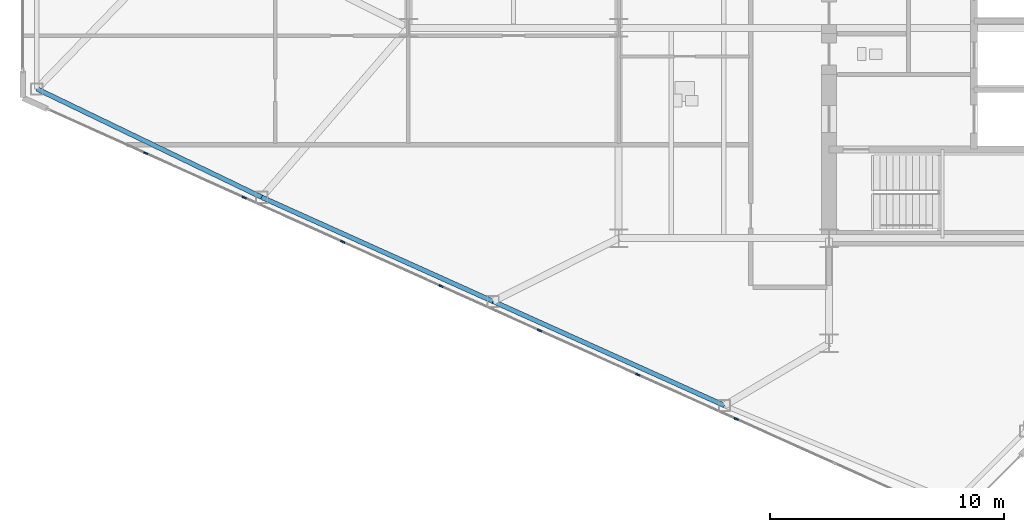
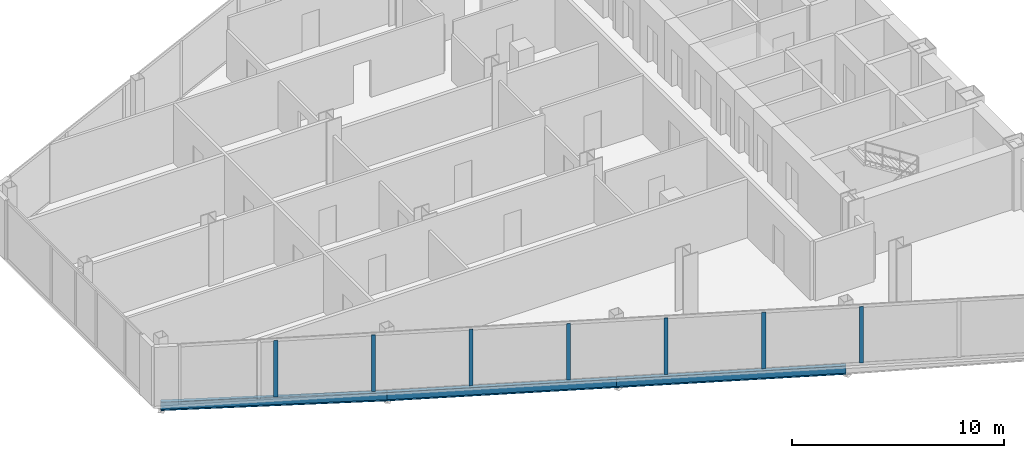
# One storey, part 3 of 27: 7 members, 3 beams, 1 element without a shape of its own.
"""IFC4 building model written with IfcOpenShell, lengths in metres."""

from ifc_helpers import new_model, si_unit, direction, frame, origin, origin_2d, place, context, subcontext, project, spatial, rectangle, i_section, extrude, source, transform, mapped, material, layer, layer_set, material_profile, profile_set, type_object, type_shapes, element, aggregate, save


model = new_model("IFC4")

# Units and contexts
model_context = context("Model", 3, precision=1e-05, world=origin(), true_north=direction((0.0, 1.0)))
body_context = subcontext(model_context, "Body", "Model", "MODEL_VIEW")
ifc_project = project(units=[si_unit("LENGTHUNIT", "METRE"), si_unit("AREAUNIT", "SQUARE_METRE"), si_unit("VOLUMEUNIT", "CUBIC_METRE"), si_unit("PLANEANGLEUNIT", "RADIAN"), si_unit("MASSUNIT", "GRAM", prefix="KILO")], contexts=[model_context])

# Site, building, storey
site_placement = place(None, origin())
site = spatial("IfcSite", under=ifc_project, at=site_placement, CompositionType="ELEMENT")
building_placement = place(site_placement, origin())
building = spatial("IfcBuilding", under=site, at=building_placement, Name="Seokmaru Belvedere", CompositionType="ELEMENT")
storey_placement = place(building_placement, frame((0.0, 0.0, 80.10009765625)))
storey = spatial("IfcBuildingStorey", under=building, at=storey_placement, Name="L21", CompositionType="ELEMENT", Elevation=80.10009765625)

# Beams
ifc_material_1 = material(Name="Steel SM355 (355 MPa)", Category="steel")
ifc_material_profile_1 = material_profile(ifc_material_1, i_section(OverallWidth=0.199951171875, OverallDepth=0.5, WebThickness=0.010009765625, FlangeThickness=0.01611328125, at=origin_2d()), Name="H-500x200x10x16")
ifc_profile_set_1 = profile_set([ifc_material_profile_1], Name="Steel SM355 (355 MPa)")
beam_type = type_object("IfcBeamType", Name="Perimeter Spandrel Beam H-500", PredefinedType="SPANDREL", material=ifc_profile_set_1)
shared_shape_1 = source(origin(), body_context, "Body", "SweptSolid", [
    extrude(i_section(OverallWidth=0.199951171875, OverallDepth=0.5, WebThickness=0.010009765625, FlangeThickness=0.01611328125, at=origin_2d()), origin(), (0.0, 0.0, 1.0), 10.85888671875),
])
for number, where, z_axis, x_axis, name in (
    (1, (-40.97265625, -20.661376953125, -0.47021484375), (-0.911921505175, 0.410364677329, 0.0), (-0.410364677329, -0.911921505175, 0.0), "L21 W Faceted Flank Spandrel S-2"),
    (2, (-50.875, -16.205322265625, -0.47021484375), (-0.911925291223, 0.410356263785, 0.0), (-0.410356263785, -0.911925291223, 0.0), "L21 W Faceted Flank Spandrel S-3"),
):
    element("IfcBeam", number, at=place(storey_placement, frame(where, z_axis=z_axis, x_axis=x_axis)), inside=storey, type_object=beam_type, Name=name, PredefinedType="SPANDREL", context=body_context, shape_type="MappedRepresentation", body=[
        mapped(shared_shape_1, transform((0.0, 0.0, 0.0), scale=1.0)),
    ])
shared_shape_2 = source(origin(), body_context, "Body", "SweptSolid", [
    extrude(i_section(OverallWidth=0.199951171875, OverallDepth=0.5, WebThickness=0.010009765625, FlangeThickness=0.01611328125, at=origin_2d()), origin(), (0.0, 0.0, 1.0), 10.681396484375),
])
type_shapes(beam_type, [shared_shape_1, shared_shape_2])
beam_placement = place(storey_placement, frame((-60.777587890625, -11.749267578125, -0.47021484375), z_axis=(-0.900846426616, 0.434137899352, 0.0), x_axis=(-0.434137899352, -0.900846426616, 0.0)))
element("IfcBeam", 3, at=beam_placement, inside=storey, type_object=beam_type, Name="L21 W Faceted Flank Spandrel S-4", PredefinedType="SPANDREL", context=body_context, shape_type="MappedRepresentation", body=[
    mapped(shared_shape_2, transform((0.0, 0.0, 0.0), scale=1.0)),
])

# Curtain wall, members
ifc_material_2 = material(Name="Bronze Triple Insulating Glass", Category="glass")
ifc_layer = layer(ifc_material_2, 0.195068359375)
ifc_layer_set = layer_set([ifc_layer], Name="Bronze Triple Insulating Glass")
curtain_wall_type = type_object("IfcCurtainWallType", Name="Lower-Mid Tapered Curtain Wall System CW-3", PredefinedType="NOTDEFINED", material=ifc_layer_set)
curtain_wall_placement = place(storey_placement, origin())
curtain_wall = element("IfcCurtainWall", 4, at=curtain_wall_placement, inside=storey, type_object=curtain_wall_type, Name="L21 Curtain Wall WF5", PredefinedType="NOTDEFINED")
ifc_material_3 = material(Name="Anodised Bronze Aluminium", Category="aluminium")
ifc_material_profile_2 = material_profile(ifc_material_3, rectangle(XDim=0.070068359375, YDim=0.195068359375, at=origin_2d()), Name="CW-M-70x195")
ifc_profile_set_2 = profile_set([ifc_material_profile_2], Name="Anodised Bronze Aluminium")
member_type = type_object("IfcMemberType", Name="Bronze Unitised Mullion 70x195", PredefinedType="MULLION", material=ifc_profile_set_2)
shared_shape_3 = source(origin(), body_context, "Body", "SweptSolid", [
    extrude(rectangle(XDim=0.070068359375, YDim=0.195068359375, at=origin_2d()), origin(), (0.0, 0.0, 1.0), 3.239990234375),
])
type_shapes(member_type, [shared_shape_3])
member_1_placement = place(storey_placement, frame((-65.739990234375, -9.866943359375, 0.06982421875), z_axis=(0.0, 0.0, 1.0), x_axis=(0.41036554765, 0.91192111353, 0.0)))
member_1 = element("IfcMember", 5, at=member_1_placement, type_object=member_type, Name="CW:L21:WF5 Mullion 2", PredefinedType="MULLION", context=body_context, shape_type="MappedRepresentation", body=[
    mapped(shared_shape_3, transform((0.0, 0.0, 0.0), scale=1.0)),
])
member_2_placement = place(storey_placement, frame((-61.528564453125, -11.76220703125, 0.06982421875), z_axis=(0.0, 0.0, 1.0), x_axis=(0.41036554765, 0.91192111353, 0.0)))
member_2 = element("IfcMember", 6, at=member_2_placement, type_object=member_type, Name="CW:L21:WF5 Mullion 3", PredefinedType="MULLION", context=body_context, shape_type="MappedRepresentation", body=[
    mapped(shared_shape_3, transform((0.0, 0.0, 0.0), scale=1.0)),
])
member_3_placement = place(storey_placement, frame((-57.317138671875, -13.6572265625, 0.06982421875), z_axis=(0.0, 0.0, 1.0), x_axis=(0.41036554765, 0.91192111353, 0.0)))
member_3 = element("IfcMember", 7, at=member_3_placement, type_object=member_type, Name="CW:L21:WF5 Mullion 4", PredefinedType="MULLION", context=body_context, shape_type="MappedRepresentation", body=[
    mapped(shared_shape_3, transform((0.0, 0.0, 0.0), scale=1.0)),
])
member_4_placement = place(storey_placement, frame((-53.105712890625, -15.552490234375, 0.06982421875), z_axis=(0.0, 0.0, 1.0), x_axis=(0.41036554765, 0.91192111353, 0.0)))
member_4 = element("IfcMember", 8, at=member_4_placement, type_object=member_type, Name="CW:L21:WF5 Mullion 5", PredefinedType="MULLION", context=body_context, shape_type="MappedRepresentation", body=[
    mapped(shared_shape_3, transform((0.0, 0.0, 0.0), scale=1.0)),
])
member_5_placement = place(storey_placement, frame((-48.894287109375, -17.447509765625, 0.06982421875), z_axis=(0.0, 0.0, 1.0), x_axis=(0.41036554765, 0.91192111353, 0.0)))
member_5 = element("IfcMember", 9, at=member_5_placement, type_object=member_type, Name="CW:L21:WF5 Mullion 6", PredefinedType="MULLION", context=body_context, shape_type="MappedRepresentation", body=[
    mapped(shared_shape_3, transform((0.0, 0.0, 0.0), scale=1.0)),
])
member_6_placement = place(storey_placement, frame((-44.682861328125, -19.3427734375, 0.06982421875), z_axis=(0.0, 0.0, 1.0), x_axis=(0.41036554765, 0.91192111353, 0.0)))
member_6 = element("IfcMember", 10, at=member_6_placement, type_object=member_type, Name="CW:L21:WF5 Mullion 7", PredefinedType="MULLION", context=body_context, shape_type="MappedRepresentation", body=[
    mapped(shared_shape_3, transform((0.0, 0.0, 0.0), scale=1.0)),
])
member_7_placement = place(storey_placement, frame((-40.471435546875, -21.23779296875, 0.06982421875), z_axis=(0.0, 0.0, 1.0), x_axis=(0.41036554765, 0.91192111353, 0.0)))
member_7 = element("IfcMember", 11, at=member_7_placement, type_object=member_type, Name="CW:L21:WF5 Mullion 8", PredefinedType="MULLION", context=body_context, shape_type="MappedRepresentation", body=[
    mapped(shared_shape_3, transform((0.0, 0.0, 0.0), scale=1.0)),
])
aggregate(curtain_wall, [member_1, member_2, member_3, member_4, member_5, member_6, member_7])

save(model, "model.ifc")
